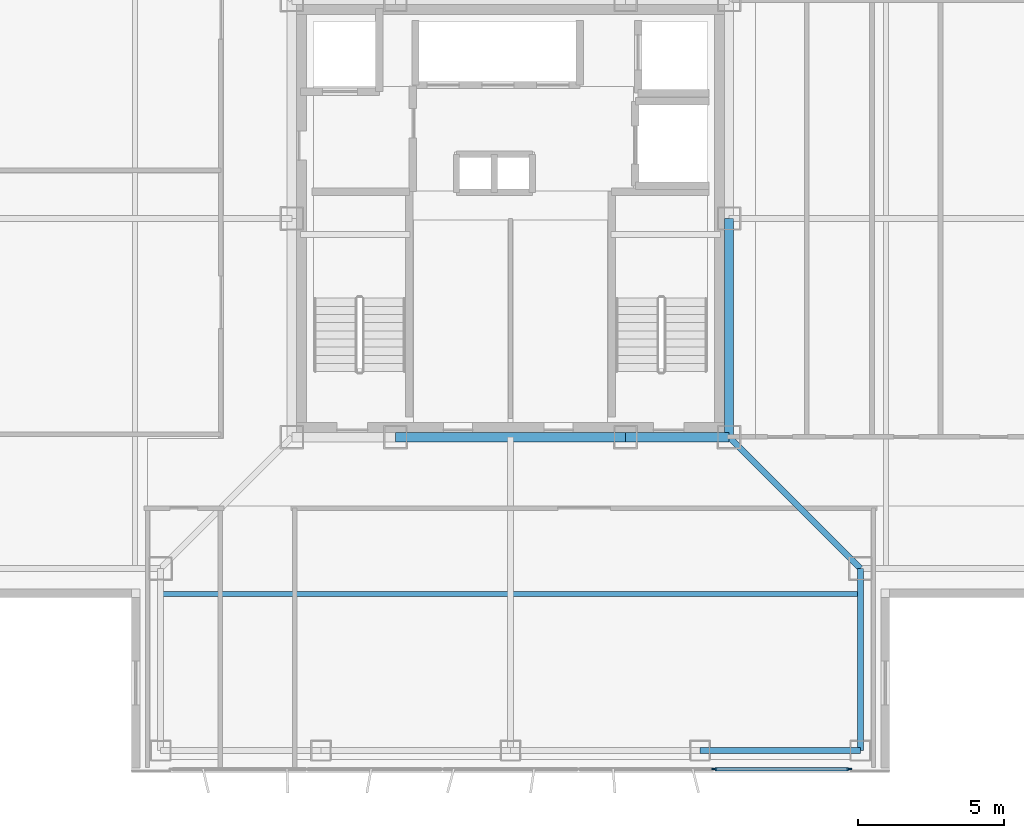
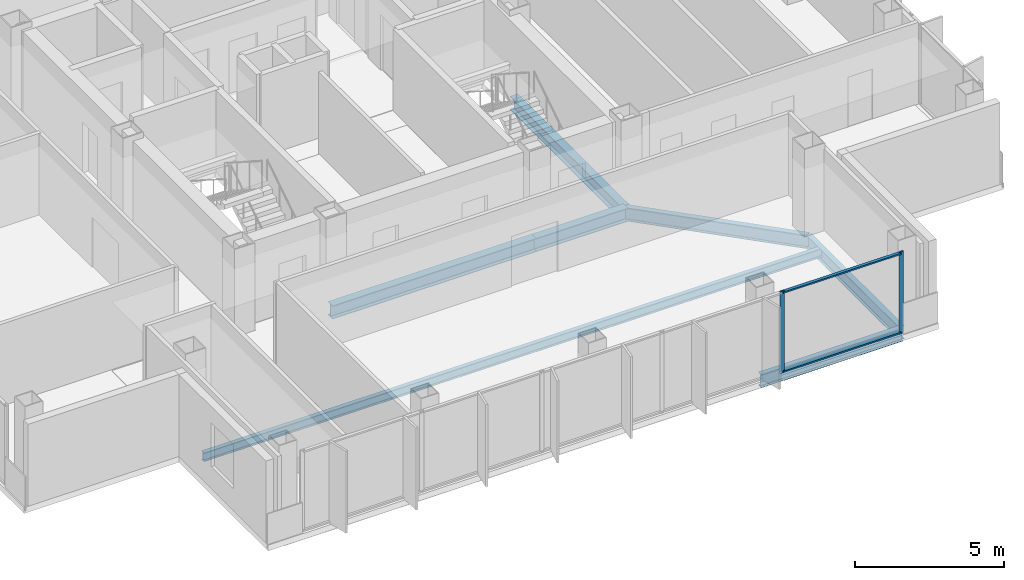
# One storey, part 3 of 15: 7 beams, 4 members, 1 element without a shape of its own.
"""IFC4 building model written with IfcOpenShell, lengths in metres."""

from ifc_helpers import new_model, si_unit, direction, frame, origin, origin_2d, place, context, subcontext, project, spatial, rectangle, i_section, extrude, material, layer, layer_set, material_profile, profile_set, type_object, element, aggregate, save


model = new_model("IFC4")

# Units and contexts
model_context = context("Model", 3, precision=1e-05, world=origin(), true_north=direction((0.0, 1.0)))
body_context = subcontext(model_context, "Body", "Model", "MODEL_VIEW")
ifc_project = project(units=[si_unit("LENGTHUNIT", "METRE"), si_unit("AREAUNIT", "SQUARE_METRE"), si_unit("VOLUMEUNIT", "CUBIC_METRE"), si_unit("PLANEANGLEUNIT", "RADIAN"), si_unit("MASSUNIT", "GRAM", prefix="KILO")], contexts=[model_context])

# Site, building, storey
site_placement = place(None, origin())
site = spatial("IfcSite", under=ifc_project, at=site_placement, CompositionType="ELEMENT")
building_placement = place(site_placement, origin())
building = spatial("IfcBuilding", under=site, at=building_placement, Name="Trevonay Congress Spire", CompositionType="ELEMENT")
storey_placement = place(building_placement, frame((0.0, 0.0, 261.199951171875)))
storey = spatial("IfcBuildingStorey", under=building, at=storey_placement, Name="L68", CompositionType="ELEMENT", Elevation=261.199951171875)

# Beams
ifc_material_1 = material(Name="Steel ASTM A572 Grade 50", Category="steel")
ifc_material_profile_1 = material_profile(ifc_material_1, i_section(OverallWidth=0.2119140625, OverallDepth=0.5439453125, WebThickness=0.01318359375, FlangeThickness=0.021240234375, FilletRadius=0.014892578125, at=origin_2d()), Name="W530x123")
ifc_profile_set_1 = profile_set([ifc_material_profile_1], Name="Steel ASTM A572 Grade 50")
beam_type_1 = type_object("IfcBeamType", Name="BM-GIRD-W530X123", PredefinedType="BEAM", material=ifc_profile_set_1)
beam_1_placement = place(storey_placement, frame((7.5, -7.5, -0.511962890625), z_axis=(0.707106781187, -0.707106781187, 0.0), x_axis=(0.707106781187, 0.707106781187, 0.0)))
element("IfcBeam", 1, at=beam_1_placement, inside=storey, type_object=beam_type_1, Name="L68 structural beam BM-L68-CDSE", PredefinedType="BEAM", context=body_context, shape_type="SweptSolid", body=[
    extrude(i_section(OverallWidth=0.2119140625, OverallDepth=0.5439453125, WebThickness=0.01318359375, FlangeThickness=0.021240234375, FilletRadius=0.014892578125, at=origin_2d()), origin(), (0.0, 0.0, 1.0), 6.364013671875),
])
ifc_material_profile_2 = material_profile(ifc_material_1, i_section(OverallWidth=0.31201171875, OverallDepth=0.54296875, WebThickness=0.0126953125, FlangeThickness=0.020263671875, FilletRadius=0.014892578125, at=origin_2d()), Name="W530x150")
ifc_profile_set_2 = profile_set([ifc_material_profile_2], Name="Steel ASTM A572 Grade 50")
beam_type_2 = type_object("IfcBeamType", Name="BM-GIRD-W530X150", PredefinedType="BEAM", material=ifc_profile_set_2)
beam_2_placement = place(storey_placement, frame((-3.949951171875, -7.5, -0.511474609375), z_axis=(1.0, 0.0, 0.0), x_axis=(0.0, 1.0, 0.0)))
element("IfcBeam", 2, at=beam_2_placement, inside=storey, type_object=beam_type_2, Name="L68 structural beam BM-L68-CR-S2", PredefinedType="BEAM", context=body_context, shape_type="SweptSolid", body=[
    extrude(i_section(OverallWidth=0.31201171875, OverallDepth=0.54296875, WebThickness=0.0126953125, FlangeThickness=0.020263671875, FilletRadius=0.014892578125, at=origin_2d()), origin(), (0.0, 0.0, 1.0), 7.89990234375),
])
beam_3_placement = place(storey_placement, frame((3.949951171875, -7.5, -0.511474609375), z_axis=(1.0, 0.0, 0.0), x_axis=(0.0, 1.0, 0.0)))
element("IfcBeam", 3, at=beam_3_placement, inside=storey, type_object=beam_type_2, Name="L68 structural beam BM-L68-CR-S3", PredefinedType="BEAM", context=body_context, shape_type="SweptSolid", body=[
    extrude(i_section(OverallWidth=0.31201171875, OverallDepth=0.54296875, WebThickness=0.0126953125, FlangeThickness=0.020263671875, FilletRadius=0.014892578125, at=origin_2d()), origin(), (0.0, 0.0, 1.0), 3.550048828125),
])
beam_4_placement = place(storey_placement, frame((7.5, -7.5, -0.511474609375), z_axis=(0.0, 1.0, 0.0), x_axis=(-1.0, 0.0, 0.0)))
element("IfcBeam", 4, at=beam_4_placement, inside=storey, type_object=beam_type_2, Name="L68 structural beam BM-L68-CR-E1", PredefinedType="BEAM", context=body_context, shape_type="SweptSolid", body=[
    extrude(i_section(OverallWidth=0.31201171875, OverallDepth=0.54296875, WebThickness=0.0126953125, FlangeThickness=0.020263671875, FilletRadius=0.014892578125, at=origin_2d()), origin(), (0.0, 0.0, 1.0), 7.5),
])
ifc_material_profile_3 = material_profile(ifc_material_1, i_section(OverallWidth=0.208984375, OverallDepth=0.532958984375, WebThickness=0.01025390625, FlangeThickness=0.015625, FilletRadius=0.014892578125, at=origin_2d()), Name="W530x92")
ifc_profile_set_3 = profile_set([ifc_material_profile_3], Name="Steel ASTM A572 Grade 50")
beam_type_3 = type_object("IfcBeamType", Name="BM-RING-W530X92", PredefinedType="BEAM", material=ifc_profile_set_3)
beam_5_placement = place(storey_placement, frame((6.5, -18.25, -0.50634765625), z_axis=(1.0, 0.0, 0.0), x_axis=(0.0, 1.0, 0.0)))
element("IfcBeam", 5, at=beam_5_placement, inside=storey, type_object=beam_type_3, Name="L68 structural beam BM-L68-PS4", PredefinedType="BEAM", context=body_context, shape_type="SweptSolid", body=[
    extrude(i_section(OverallWidth=0.208984375, OverallDepth=0.532958984375, WebThickness=0.01025390625, FlangeThickness=0.015625, FilletRadius=0.014892578125, at=origin_2d()), origin(), (0.0, 0.0, 1.0), 5.5),
])
beam_6_placement = place(storey_placement, frame((12.0, -18.25, -0.50634765625), z_axis=(0.0, 1.0, 0.0), x_axis=(-1.0, 0.0, 0.0)))
element("IfcBeam", 6, at=beam_6_placement, inside=storey, type_object=beam_type_3, Name="L68 structural beam BM-L68-N1SE", PredefinedType="BEAM", context=body_context, shape_type="SweptSolid", body=[
    extrude(i_section(OverallWidth=0.208984375, OverallDepth=0.532958984375, WebThickness=0.01025390625, FlangeThickness=0.015625, FilletRadius=0.014892578125, at=origin_2d()), origin(), (0.0, 0.0, 1.0), 6.25),
])

# Curtain wall, members
ifc_material_2 = material(Name="Pale Anodised Aluminium EN AW-6063-T6", Category="aluminium")
ifc_layer = layer(ifc_material_2, 0.1650390625, Name="Pale Anodised Aluminium EN AW-6063-T6")
ifc_layer_set = layer_set([ifc_layer], Name="Pale Anodised Aluminium EN AW-6063-T6")
curtain_wall_type = type_object("IfcCurtainWallType", Name="CW-SYS05-DIPLOM-PALE-METAL", PredefinedType="NOTDEFINED", material=ifc_layer_set)
curtain_wall_placement = place(storey_placement, origin())
curtain_wall = element("IfcCurtainWall", 7, at=curtain_wall_placement, inside=storey, type_object=curtain_wall_type, Name="L68 S unitised curtain wall", PredefinedType="NOTDEFINED")
ifc_material_profile_4 = material_profile(ifc_material_2, rectangle(XDim=0.06005859375, YDim=0.159912109375, at=origin_2d()), Name="CW-MULLION-160-ALUMINIUM")
ifc_profile_set_4 = profile_set([ifc_material_profile_4], Name="Pale Anodised Aluminium EN AW-6063-T6")
member_type_1 = type_object("IfcMemberType", Name="CW-MULLION-160-ALUMINIUM", PredefinedType="MULLION", material=ifc_profile_set_4)
member_1_placement = place(storey_placement, frame((6.989990234375, -18.8798828125, 0.0), z_axis=(0.0, 0.0, 1.0), x_axis=(0.0, 1.0, 0.0)))
member_1 = element("IfcMember", 8, at=member_1_placement, type_object=member_type_1, Name="CW05 mullion 5", PredefinedType="MULLION", context=body_context, shape_type="SweptSolid", body=[
    extrude(rectangle(XDim=0.06005859375, YDim=0.159912109375, at=origin_2d()), origin(), (0.0, 0.0, 1.0), 3.360107421875),
])
member_2_placement = place(storey_placement, frame((11.6201171875, -18.8798828125, 0.0), z_axis=(0.0, 0.0, 1.0), x_axis=(0.0, 1.0, 0.0)))
member_2 = element("IfcMember", 9, at=member_2_placement, type_object=member_type_1, Name="CW05 mullion 6", PredefinedType="MULLION", context=body_context, shape_type="SweptSolid", body=[
    extrude(rectangle(XDim=0.06005859375, YDim=0.159912109375, at=origin_2d()), origin(), (0.0, 0.0, 1.0), 3.360107421875),
])
ifc_material_profile_5 = material_profile(ifc_material_2, rectangle(XDim=0.1201171875, YDim=0.06005859375, at=origin_2d()), Name="CW-TRANSOM-120-ALUMINIUM")
ifc_profile_set_5 = profile_set([ifc_material_profile_5], Name="Pale Anodised Aluminium EN AW-6063-T6")
member_type_2 = type_object("IfcMemberType", Name="CW-TRANSOM-120-ALUMINIUM", PredefinedType="USERDEFINED", material=ifc_profile_set_5)
member_3_placement = place(storey_placement, frame((7.02001953125, -18.8798828125, 0.06005859375), z_axis=(1.0, 0.0, 0.0), x_axis=(0.0, 1.0, 0.0)))
member_3 = element("IfcMember", 10, at=member_3_placement, type_object=member_type_2, Name="CW05 transom 5.1", ObjectType="TRANSOM", PredefinedType="USERDEFINED", context=body_context, shape_type="SweptSolid", body=[
    extrude(rectangle(XDim=0.1201171875, YDim=0.06005859375, at=origin_2d()), origin(), (0.0, 0.0, 1.0), 4.570068359375),
])
member_4_placement = place(storey_placement, frame((7.02001953125, -18.8798828125, 3.300048828125), z_axis=(1.0, 0.0, 0.0), x_axis=(0.0, 1.0, 0.0)))
member_4 = element("IfcMember", 11, at=member_4_placement, type_object=member_type_2, Name="CW05 transom 5.2", ObjectType="TRANSOM", PredefinedType="USERDEFINED", context=body_context, shape_type="SweptSolid", body=[
    extrude(rectangle(XDim=0.1201171875, YDim=0.06005859375, at=origin_2d()), origin(), (0.0, 0.0, 1.0), 4.570068359375),
])
aggregate(curtain_wall, [member_1, member_2, member_3, member_4])

# Beam
ifc_material_profile_6 = material_profile(ifc_material_1, i_section(OverallWidth=0.172119140625, OverallDepth=0.35791015625, WebThickness=0.0078125, FlangeThickness=0.01318359375, FilletRadius=0.011962890625, at=origin_2d()), Name="W360x57.8")
ifc_profile_set_6 = profile_set([ifc_material_profile_6], Name="Steel ASTM A572 Grade 50")
beam_type_4 = type_object("IfcBeamType", Name="JS-COMP-W360X57", PredefinedType="JOIST", material=ifc_profile_set_6)
beam_7_placement = place(storey_placement, frame((-12.0, -12.875, -0.4189453125), z_axis=(1.0, 0.0, 0.0), x_axis=(0.0, 1.0, 0.0)))
element("IfcBeam", 12, at=beam_7_placement, inside=storey, type_object=beam_type_4, Name="L68 structural beam JS-L68-RING-S", PredefinedType="JOIST", context=body_context, shape_type="SweptSolid", body=[
    extrude(i_section(OverallWidth=0.172119140625, OverallDepth=0.35791015625, WebThickness=0.0078125, FlangeThickness=0.01318359375, FilletRadius=0.011962890625, at=origin_2d()), origin(), (0.0, 0.0, 1.0), 24.0),
])

save(model, "model.ifc")
